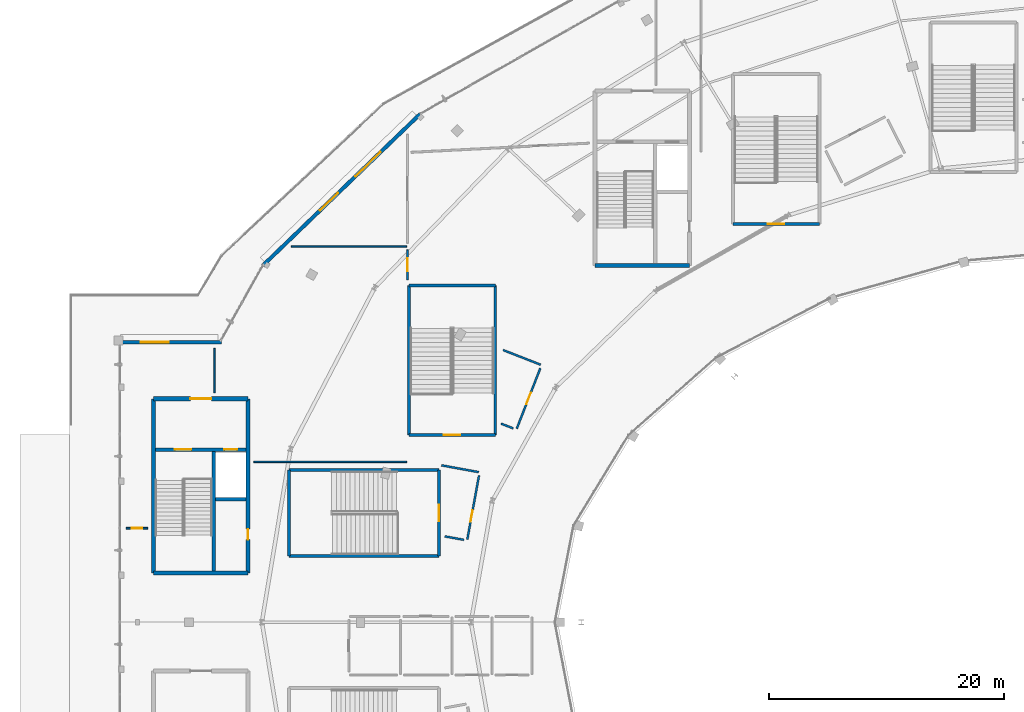
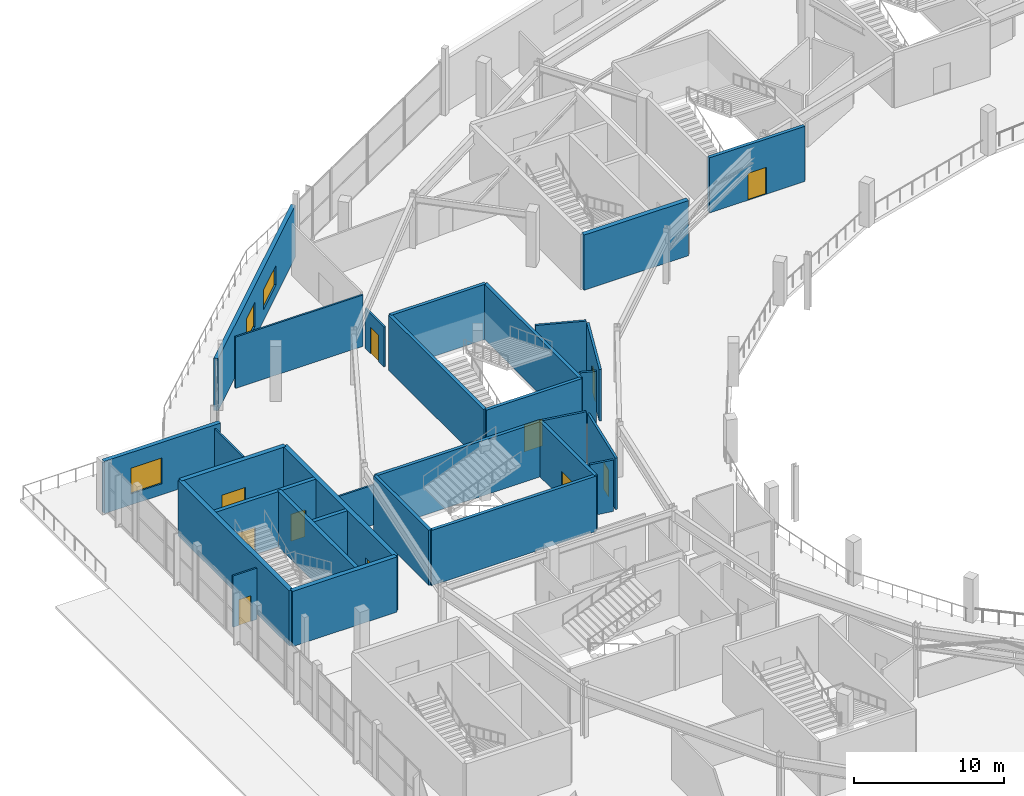
# One storey, part 88 of 123: 30 walls, 11 doors, 3 windows, 14 openings.
"""IFC4 building model written with IfcOpenShell, lengths in metres."""

from ifc_helpers import new_model, si_unit, direction, frame, frame_2d, origin, place, context, subcontext, project, spatial, rectangle, extrude, material, layer, layer_set, type_object, element, fill, save


model = new_model("IFC4")

# Units and contexts
model_context = context("Model", 3, precision=1e-05, world=origin(), true_north=direction((0.0, 1.0)))
body_context = subcontext(model_context, "Body", "Model", "MODEL_VIEW")
ifc_project = project(units=[si_unit("LENGTHUNIT", "METRE"), si_unit("AREAUNIT", "SQUARE_METRE"), si_unit("VOLUMEUNIT", "CUBIC_METRE"), si_unit("PLANEANGLEUNIT", "RADIAN"), si_unit("MASSUNIT", "GRAM", prefix="KILO")], contexts=[model_context])

# Site, building, storey
site_placement = place(None, origin())
site = spatial("IfcSite", under=ifc_project, at=site_placement, CompositionType="ELEMENT")
building_placement = place(site_placement, origin())
building = spatial("IfcBuilding", under=site, at=building_placement, Name="Kalgoora Escarpment Arena", CompositionType="ELEMENT")
storey_placement = place(building_placement, frame((0.0, 0.0, 9.89990234375)))
storey = spatial("IfcBuildingStorey", under=building, at=storey_placement, Name="L02", CompositionType="ELEMENT", Elevation=9.89990234375)

# Wall
ifc_material_1 = material(Name="Concrete N50 (fc' 50 MPa)", Category="concrete")
ifc_layer_1 = layer(ifc_material_1, 0.35009765625)
ifc_layer_set_1 = layer_set([ifc_layer_1], Name="WAL-CORE-350")
wall_type_1 = type_object("IfcWallType", Name="WAL-CORE-350", PredefinedType="SHEAR", material=ifc_layer_set_1)
wall_1_placement = place(storey_placement, frame((11.375, 68.175048828125, 0.0), z_axis=(0.0, 0.0, 1.0), x_axis=(1.0, 0.0, 0.0)))
element("IfcWall", 1, at=wall_1_placement, inside=storey, type_object=wall_type_1, Name="Core C1 L02 south shear wall", PredefinedType="SHEAR", context=body_context, shape_type="SweptSolid", body=[
    extrude(rectangle(XDim=8.050048828125, YDim=0.35009765625, at=frame_2d((4.02490234375, 0.0))), origin(), (0.0, 0.0, 1.0), 4.5),
])

# Wall, opening, door
wall_2_placement = place(storey_placement, frame((11.375, 83.02490234375, 0.0), z_axis=(0.0, 0.0, 1.0), x_axis=(1.0, 0.0, 0.0)))
wall_2 = element("IfcWall", 2, at=wall_2_placement, inside=storey, type_object=wall_type_1, Name="Core C1 L02 north lobby wall", PredefinedType="SHEAR", context=body_context, shape_type="SweptSolid", body=[
    extrude(rectangle(XDim=8.050048828125, YDim=0.35009765625, at=frame_2d((4.02490234375, 0.0))), origin(), (0.0, 0.0, 1.0), 4.5),
])
opening_1_placement = place(wall_2_placement, frame((3.125, 0.0, 0.0)))
opening_1 = element("IfcOpeningElement", 3, at=opening_1_placement, cuts=wall_2, Name="Opening FD-C1L", PredefinedType="OPENING", context=body_context, shape_type="SweptSolid", body=[
    extrude(rectangle(XDim=1.800048828125, YDim=2.25, at=frame_2d((0.89990234375, 1.125))), frame((0.0, 0.18505859375, 0.0), z_axis=(0.0, -1.0, 0.0), x_axis=(1.0, 0.0, 0.0)), (0.0, 0.0, 1.0), 0.3701171875),
])
ifc_material_2 = material(Name="Double fire-rated smoke-seal lobby door")
door_type_1 = type_object("IfcDoorType", Name="DR-LOBBY-1800", OperationType="NOTDEFINED", PredefinedType="DOOR", material=ifc_material_2)
door_1_placement = place(opening_1_placement, origin())
door_1 = element("IfcDoor", 4, at=door_1_placement, inside=storey, type_object=door_type_1, Name="Core C1 L02 smoke-lobby fire door", OperationType="DOUBLE_DOOR_SINGLE_SWING", OverallHeight=2.25, OverallWidth=1.800048828125, PredefinedType="DOOR", context=body_context, shape_type="SweptSolid", body=[
    extrude(rectangle(XDim=1.800048828125, YDim=2.25, at=frame_2d((0.89990234375, 1.125))), frame((0.0, 0.02490234375, 0.0), z_axis=(0.0, -1.0, 0.0), x_axis=(1.0, 0.0, 0.0)), (0.0, 0.0, 1.0), 0.050048828125),
])
fill(opening_1, door_1)

# Wall
wall_3_placement = place(storey_placement, frame((11.375, 68.175048828125, 0.0), z_axis=(0.0, 0.0, 1.0), x_axis=(0.0, 1.0, 0.0)))
element("IfcWall", 5, at=wall_3_placement, inside=storey, type_object=wall_type_1, Name="Core C1 L02 west shear wall", PredefinedType="SHEAR", context=body_context, shape_type="SweptSolid", body=[
    extrude(rectangle(XDim=14.849853515625, YDim=0.35009765625, at=frame_2d((7.4248046875, 0.0))), origin(), (0.0, 0.0, 1.0), 4.5),
])

# Wall, opening, door
wall_4_placement = place(storey_placement, frame((19.425048828125, 68.175048828125, 0.0), z_axis=(0.0, 0.0, 1.0), x_axis=(0.0, 1.0, 0.0)))
wall_4 = element("IfcWall", 6, at=wall_4_placement, inside=storey, type_object=wall_type_1, Name="Core C1 L02 east shear wall", PredefinedType="SHEAR", context=body_context, shape_type="SweptSolid", body=[
    extrude(rectangle(XDim=14.849853515625, YDim=0.35009765625, at=frame_2d((7.4248046875, 0.0))), origin(), (0.0, 0.0, 1.0), 4.5),
])
opening_2_placement = place(wall_4_placement, frame((2.85498046875, 0.0, 0.0)))
opening_2 = element("IfcOpeningElement", 7, at=opening_2_placement, cuts=wall_4, Name="Opening FD-C1R", PredefinedType="OPENING", context=body_context, shape_type="SweptSolid", body=[
    extrude(rectangle(XDim=0.89990234375, YDim=2.10009765625, at=frame_2d((0.449951171875, 1.050048828125))), frame((0.0, 0.18505859375, 0.0), z_axis=(0.0, -1.0, 0.0), x_axis=(1.0, 0.0, 0.0)), (0.0, 0.0, 1.0), 0.3701171875),
])
ifc_material_3 = material(Name="Fire-rated steel riser access door", Category="steel")
door_type_2 = type_object("IfcDoorType", Name="DR-RISER-0900", OperationType="NOTDEFINED", PredefinedType="DOOR", material=ifc_material_3)
door_2_placement = place(opening_2_placement, origin())
door_2 = element("IfcDoor", 8, at=door_2_placement, inside=storey, type_object=door_type_2, Name="Core C1 L02 riser cupboard access door", OperationType="SINGLE_SWING_RIGHT", OverallHeight=2.10009765625, OverallWidth=0.89990234375, PredefinedType="DOOR", context=body_context, shape_type="SweptSolid", body=[
    extrude(rectangle(XDim=0.89990234375, YDim=2.10009765625, at=frame_2d((0.449951171875, 1.050048828125))), frame((0.0, 0.02490234375, 0.0), z_axis=(0.0, -1.0, 0.0), x_axis=(1.0, 0.0, 0.0)), (0.0, 0.0, 1.0), 0.050048828125),
])
fill(opening_2, door_2)

# Wall
wall_5_placement = place(storey_placement, frame((48.97509765625, 94.375, 0.0), z_axis=(0.0, 0.0, 1.0), x_axis=(1.0, 0.0, 0.0)))
element("IfcWall", 9, at=wall_5_placement, inside=storey, type_object=wall_type_1, Name="Core C3 L02 south shear wall", PredefinedType="SHEAR", context=body_context, shape_type="SweptSolid", body=[
    extrude(rectangle(XDim=8.0498046875, YDim=0.35009765625, at=frame_2d((4.02490234375, 0.0))), origin(), (0.0, 0.0, 1.0), 4.5),
])

# Wall, opening, door
ifc_material_4 = material(Name="Hospitality acoustic drywall partition", Category="gypsum")
ifc_layer_2 = layer(ifc_material_4, 0.135009765625)
ifc_layer_set_2 = layer_set([ifc_layer_2], Name="WAL-DIN-135")
wall_type_2 = type_object("IfcWallType", Name="WAL-DIN-135", PredefinedType="PARTITIONING", material=ifc_layer_set_2)
wall_6_placement = place(storey_placement, frame((10.875, 72.0, 0.0), z_axis=(0.0, 0.0, 1.0), x_axis=(-1.0, 0.0, 0.0)))
wall_6 = element("IfcWall", 10, at=wall_6_placement, inside=storey, type_object=wall_type_2, Name="L02 Club Lounge partition wall", PredefinedType="PARTITIONING", context=body_context, shape_type="SweptSolid", body=[
    extrude(rectangle(XDim=1.827880859375, YDim=0.135009765625, at=frame_2d((0.9140625, 0.0))), origin(), (0.0, 0.0, 1.0), 4.190185546875),
])
opening_3_placement = place(wall_6_placement, frame((0.464111328125, 0.0, 0.0)))
opening_3 = element("IfcOpeningElement", 11, at=opening_3_placement, cuts=wall_6, Name="Opening FD-I093", PredefinedType="OPENING", context=body_context, shape_type="SweptSolid", body=[
    extrude(rectangle(XDim=0.89990234375, YDim=2.10009765625, at=frame_2d((0.449951171875, 1.050048828125))), frame((0.0, 0.077392578125, 0.0), z_axis=(0.0, -1.0, 0.0), x_axis=(1.0, 0.0, 0.0)), (0.0, 0.0, 1.0), 0.155029296875),
])
door_3_placement = place(opening_3_placement, origin())
door_3 = element("IfcDoor", 12, at=door_3_placement, inside=storey, type_object=door_type_2, Name="Club Lounge entrance door", OperationType="SINGLE_SWING_LEFT", OverallHeight=2.10009765625, OverallWidth=0.89990234375, PredefinedType="DOOR", context=body_context, shape_type="SweptSolid", body=[
    extrude(rectangle(XDim=0.89990234375, YDim=2.10009765625, at=frame_2d((0.449951171875, 1.050048828125))), frame((0.0, 0.02490234375, 0.0), z_axis=(0.0, -1.0, 0.0), x_axis=(1.0, 0.0, 0.0)), (0.0, 0.0, 1.0), 0.050048828125),
])
fill(opening_3, door_3)

# Walls
wall_7_placement = place(storey_placement, frame((16.550048828125, 87.3125, 0.0), z_axis=(0.0, 0.0, 1.0), x_axis=(0.0, -1.0, 0.0)))
element("IfcWall", 13, at=wall_7_placement, inside=storey, type_object=wall_type_2, Name="L02 Club Lounge partition wall", PredefinedType="PARTITIONING", context=body_context, shape_type="SweptSolid", body=[
    extrude(rectangle(XDim=3.78759765625, YDim=0.135009765625, at=frame_2d((1.893798828125, 0.0))), origin(), (0.0, 0.0, 1.0), 4.26513671875),
])
wall_8_placement = place(storey_placement, frame((19.925048828125, 77.64990234375, 0.0), z_axis=(0.0, 0.0, 1.0), x_axis=(1.0, 0.0, 0.0)))
element("IfcWall", 14, at=wall_8_placement, inside=storey, type_object=wall_type_2, Name="L02 Club Lounge 2 partition wall", PredefinedType="PARTITIONING", context=body_context, shape_type="SweptSolid", body=[
    extrude(rectangle(XDim=12.994873046875, YDim=0.135009765625, at=frame_2d((6.49755859375, 0.0))), origin(), (0.0, 0.0, 1.0), 3.255126953125),
])
wall_9_placement = place(storey_placement, frame((23.102294921875, 96.0, 0.0), z_axis=(0.0, 0.0, 1.0), x_axis=(1.0, 0.0, 0.0)))
element("IfcWall", 15, at=wall_9_placement, inside=storey, type_object=wall_type_2, Name="L02 Club Lounge 3 partition wall", PredefinedType="PARTITIONING", context=body_context, shape_type="SweptSolid", body=[
    extrude(rectangle(XDim=9.817626953125, YDim=0.135009765625, at=frame_2d((4.90869140625, 0.0))), origin(), (0.0, 0.0, 1.0), 4.190185546875),
])

# Wall, opening, door
wall_10_placement = place(storey_placement, frame((33.0, 95.715087890625, 0.0), z_axis=(0.0, 0.0, 1.0), x_axis=(0.0, -1.0, 0.0)))
wall_10 = element("IfcWall", 16, at=wall_10_placement, inside=storey, type_object=wall_type_2, Name="L02 Club Lounge 3 partition wall", PredefinedType="PARTITIONING", context=body_context, shape_type="SweptSolid", body=[
    extrude(rectangle(XDim=2.559326171875, YDim=0.135009765625, at=frame_2d((1.27978515625, 0.0))), origin(), (0.0, 0.0, 1.0), 3.255126953125),
])
opening_4_placement = place(wall_10_placement, frame((0.73974609375, 0.0, 0.0)))
opening_4 = element("IfcOpeningElement", 17, at=opening_4_placement, cuts=wall_10, Name="Opening FD-I094", PredefinedType="OPENING", context=body_context, shape_type="SweptSolid", body=[
    extrude(rectangle(XDim=1.080078125, YDim=2.14990234375, at=frame_2d((0.5400390625, 1.074951171875))), frame((0.0, 0.077392578125, 0.0), z_axis=(0.0, -1.0, 0.0), x_axis=(1.0, 0.0, 0.0)), (0.0, 0.0, 1.0), 0.155029296875),
])
ifc_material_5 = material(Name="Solid-core acoustic timber door", Category="wood")
door_type_3 = type_object("IfcDoorType", Name="DR-GEN-1080", OperationType="NOTDEFINED", PredefinedType="DOOR", material=ifc_material_5)
door_4_placement = place(opening_4_placement, origin())
door_4 = element("IfcDoor", 18, at=door_4_placement, inside=storey, type_object=door_type_3, Name="Club Lounge 3 entrance door", OperationType="SINGLE_SWING_RIGHT", OverallHeight=2.14990234375, OverallWidth=1.080078125, PredefinedType="DOOR", context=body_context, shape_type="SweptSolid", body=[
    extrude(rectangle(XDim=1.080078125, YDim=2.14990234375, at=frame_2d((0.5400390625, 1.074951171875))), frame((0.0, 0.02490234375, 0.0), z_axis=(0.0, -1.0, 0.0), x_axis=(1.0, 0.0, 0.0)), (0.0, 0.0, 1.0), 0.050048828125),
])
fill(opening_4, door_4)

# Wall, opening, window
ifc_material_6 = material(Name="Insulated limestone cladding precast wall 40 MPa", Category="masonry")
ifc_layer_3 = layer(ifc_material_6, 0.31494140625)
ifc_layer_set_3 = layer_set([ifc_layer_3], Name="WAL-EXT-315")
wall_type_3 = type_object("IfcWallType", Name="WAL-EXT-315", PredefinedType="SOLIDWALL", material=ifc_layer_set_3)
wall_11_placement = place(storey_placement, frame((8.21728515625, 87.842529296875, 0.0), z_axis=(0.0, 0.0, 1.0), x_axis=(1.0, 0.0, 0.0)))
wall_11 = element("IfcWall", 19, at=wall_11_placement, inside=storey, type_object=wall_type_3, Name="L02 limestone-faced external wall 045", PredefinedType="SOLIDWALL", context=body_context, shape_type="SweptSolid", body=[
    extrude(rectangle(XDim=8.959716796875, YDim=0.31494140625, at=frame_2d((4.47998046875, 0.0))), origin(), (0.0, 0.0, 1.0), 4.26513671875),
])
opening_5_placement = place(wall_11_placement, frame((2.050048828125, 0.0, 0.89990234375)))
opening_5 = element("IfcOpeningElement", 20, at=opening_5_placement, cuts=wall_11, Name="Opening W-06", PredefinedType="OPENING", context=body_context, shape_type="SweptSolid", body=[
    extrude(rectangle(XDim=2.39990234375, YDim=2.10009765625, at=frame_2d((1.199951171875, 1.050048828125))), frame((0.0, 0.16748046875, 0.0), z_axis=(0.0, -1.0, 0.0), x_axis=(1.0, 0.0, 0.0)), (0.0, 0.0, 1.0), 0.3349609375),
])
ifc_material_7 = material(Name="Low-E solar-control double glazing in champagne frame", Category="glass")
window_type_1 = type_object("IfcWindowType", Name="WIN-DECO-2400x2100", PartitioningType="SINGLE_PANEL", PredefinedType="WINDOW", material=ifc_material_7)
window_1_placement = place(opening_5_placement, origin())
window_1 = element("IfcWindow", 21, at=window_1_placement, inside=storey, type_object=window_type_1, Name="L02 scheduled facade window 046", OverallHeight=2.10009765625, OverallWidth=2.39990234375, PartitioningType="SINGLE_PANEL", PredefinedType="WINDOW", context=body_context, shape_type="SweptSolid", body=[
    extrude(rectangle(XDim=2.39990234375, YDim=2.10009765625, at=frame_2d((1.199951171875, 1.050048828125))), frame((0.0, 0.030029296875, 0.0), z_axis=(0.0, -1.0, 0.0), x_axis=(1.0, 0.0, 0.0)), (0.0, 0.0, 1.0), 0.06005859375),
])
fill(opening_5, window_1)

# Wall, openings, windows
wall_12_placement = place(storey_placement, frame((20.6708984375, 94.35986328125, 0.0), z_axis=(0.0, 0.0, 1.0), x_axis=(0.720214986834, 0.693750944316, 0.0)))
wall_12 = element("IfcWall", 22, at=wall_12_placement, inside=storey, type_object=wall_type_3, Name="L02 limestone-faced external wall 046", PredefinedType="SOLIDWALL", context=body_context, shape_type="SweptSolid", body=[
    extrude(rectangle(XDim=18.63525390625, YDim=0.31494140625, at=frame_2d((9.317626953125, 0.0))), origin(), (0.0, 0.0, 1.0), 4.26513671875),
])
opening_6_placement = place(wall_12_placement, frame((6.800048828125, 0.0, 0.89990234375)))
opening_6 = element("IfcOpeningElement", 23, at=opening_6_placement, cuts=wall_12, Name="Opening W-08", PredefinedType="OPENING", context=body_context, shape_type="SweptSolid", body=[
    extrude(rectangle(XDim=2.10009765625, YDim=2.0, at=frame_2d((1.050048828125, 1.0))), frame((0.0, 0.16748046875, 0.0), z_axis=(0.0, -1.0, 0.0), x_axis=(1.0, 0.0, 0.0)), (0.0, 0.0, 1.0), 0.3349609375),
])
opening_7_placement = place(wall_12_placement, frame((10.949951171875, 0.0, 0.89990234375)))
opening_7 = element("IfcOpeningElement", 24, at=opening_7_placement, cuts=wall_12, Name="Opening W-10", PredefinedType="OPENING", context=body_context, shape_type="SweptSolid", body=[
    extrude(rectangle(XDim=3.0, YDim=1.60009765625, at=frame_2d((1.5, 0.800048828125))), frame((0.0, 0.16748046875, 0.0), z_axis=(0.0, -1.0, 0.0), x_axis=(1.0, 0.0, 0.0)), (0.0, 0.0, 1.0), 0.3349609375),
])
ifc_material_8 = material(Name="Low-E solar-control double glazing in champagne frame", Category="glass")
window_type_2 = type_object("IfcWindowType", Name="WIN-BAND-3000x1600", PartitioningType="SINGLE_PANEL", PredefinedType="WINDOW", material=ifc_material_8)
window_2_placement = place(opening_7_placement, origin())
window_2 = element("IfcWindow", 25, at=window_2_placement, inside=storey, type_object=window_type_2, Name="L02 scheduled facade window 048", OverallHeight=1.60009765625, OverallWidth=3.0, PartitioningType="SINGLE_PANEL", PredefinedType="WINDOW", context=body_context, shape_type="SweptSolid", body=[
    extrude(rectangle(XDim=3.0, YDim=1.60009765625, at=frame_2d((1.5, 0.800048828125))), frame((0.0, 0.030029296875, 0.0), z_axis=(0.0, -1.0, 0.0), x_axis=(1.0, 0.0, 0.0)), (0.0, 0.0, 1.0), 0.06005859375),
])
fill(opening_7, window_2)
ifc_material_9 = material(Name="Low-E solar-control double glazing in champagne frame", Category="glass")
window_type_3 = type_object("IfcWindowType", Name="WIN-DECO-2100x2000", PartitioningType="SINGLE_PANEL", PredefinedType="WINDOW", material=ifc_material_9)
window_3_placement = place(opening_6_placement, origin())
window_3 = element("IfcWindow", 26, at=window_3_placement, inside=storey, type_object=window_type_3, Name="L02 scheduled facade window 047", OverallHeight=2.0, OverallWidth=2.10009765625, PartitioningType="SINGLE_PANEL", PredefinedType="WINDOW", context=body_context, shape_type="SweptSolid", body=[
    extrude(rectangle(XDim=2.10009765625, YDim=2.0, at=frame_2d((1.050048828125, 1.0))), frame((0.0, 0.030029296875, 0.0), z_axis=(0.0, -1.0, 0.0), x_axis=(1.0, 0.0, 0.0)), (0.0, 0.0, 1.0), 0.06005859375),
])
fill(opening_6, window_3)

# Wall, openings, doors
ifc_material_10 = material(Name="Concrete N50 (fc' 50 MPa)", Category="concrete")
ifc_layer_4 = layer(ifc_material_10, 0.300048828125)
ifc_layer_set_4 = layer_set([ifc_layer_4], Name="WAL-SHAFT-300")
wall_type_4 = type_object("IfcWallType", Name="WAL-SHAFT-300", PredefinedType="SHEAR", material=ifc_layer_set_4)
wall_13_placement = place(storey_placement, frame((11.550048828125, 78.699951171875, 0.0), z_axis=(0.0, 0.0, 1.0), x_axis=(1.0, 0.0, 0.0)))
wall_13 = element("IfcWall", 27, at=wall_13_placement, inside=storey, type_object=wall_type_4, Name="Core C1 L02 lobby shaft wall", PredefinedType="SHEAR", context=body_context, shape_type="SweptSolid", body=[
    extrude(rectangle(XDim=7.699951171875, YDim=0.300048828125, at=frame_2d((3.85009765625, 0.0))), origin(), (0.0, 0.0, 1.0), 4.5),
])
opening_8_placement = place(wall_13_placement, frame((1.64990234375, 0.0, 0.0)))
opening_8 = element("IfcOpeningElement", 28, at=opening_8_placement, cuts=wall_13, Name="Opening FD-ST01", PredefinedType="OPENING", context=body_context, shape_type="SweptSolid", body=[
    extrude(rectangle(XDim=1.39990234375, YDim=2.199951171875, at=frame_2d((0.699951171875, 1.10009765625))), frame((0.0, 0.159912109375, 0.0), z_axis=(0.0, -1.0, 0.0), x_axis=(1.0, 0.0, 0.0)), (0.0, 0.0, 1.0), 0.320068359375),
])
opening_9_placement = place(wall_13_placement, frame((5.85009765625, 0.0, 0.0)))
opening_9 = element("IfcOpeningElement", 29, at=opening_9_placement, cuts=wall_13, Name="Opening LD-EL1", PredefinedType="OPENING", context=body_context, shape_type="SweptSolid", body=[
    extrude(rectangle(XDim=1.10009765625, YDim=2.199951171875, at=frame_2d((0.550048828125, 1.10009765625))), frame((0.0, 0.159912109375, 0.0), z_axis=(0.0, -1.0, 0.0), x_axis=(1.0, 0.0, 0.0)), (0.0, 0.0, 1.0), 0.320068359375),
])
ifc_material_11 = material(Name="Brushed stainless steel sliding lift landing door", Category="steel")
door_type_4 = type_object("IfcDoorType", Name="DR-LD-EL1", OperationType="SLIDING_TO_LEFT", PredefinedType="DOOR", material=ifc_material_11)
door_5_placement = place(opening_9_placement, origin())
door_5 = element("IfcDoor", 30, at=door_5_placement, inside=storey, type_object=door_type_4, Name="Lift EL1 L02 sliding landing door", OperationType="SLIDING_TO_LEFT", OverallHeight=2.199951171875, OverallWidth=1.10009765625, PredefinedType="DOOR", context=body_context, shape_type="SweptSolid", body=[
    extrude(rectangle(XDim=1.10009765625, YDim=2.199951171875, at=frame_2d((0.550048828125, 1.10009765625))), frame((0.0, 0.02490234375, 0.0), z_axis=(0.0, -1.0, 0.0), x_axis=(1.0, 0.0, 0.0)), (0.0, 0.0, 1.0), 0.050048828125),
])
fill(opening_9, door_5)
ifc_material_12 = material(Name="Fire-rated steel stair leaf with vision panel", Category="steel")
door_type_5 = type_object("IfcDoorType", Name="DR-STAIR-1400", OperationType="NOTDEFINED", PredefinedType="DOOR", material=ifc_material_12)
door_6_placement = place(opening_8_placement, origin())
door_6 = element("IfcDoor", 31, at=door_6_placement, inside=storey, type_object=door_type_5, Name="Fire stair ST01 L02 fire door", OperationType="SINGLE_SWING_LEFT", OverallHeight=2.199951171875, OverallWidth=1.39990234375, PredefinedType="DOOR", context=body_context, shape_type="SweptSolid", body=[
    extrude(rectangle(XDim=1.39990234375, YDim=2.199951171875, at=frame_2d((0.699951171875, 1.10009765625))), frame((0.0, 0.02490234375, 0.0), z_axis=(0.0, -1.0, 0.0), x_axis=(1.0, 0.0, 0.0)), (0.0, 0.0, 1.0), 0.050048828125),
])
fill(opening_8, door_6)

# Walls
wall_14_placement = place(storey_placement, frame((16.5, 68.35009765625, 0.0), z_axis=(0.0, 0.0, 1.0), x_axis=(0.0, 1.0, 0.0)))
element("IfcWall", 32, at=wall_14_placement, inside=storey, type_object=wall_type_4, Name="Core C1 L02 stair-lift spine wall", PredefinedType="SHEAR", context=body_context, shape_type="SweptSolid", body=[
    extrude(rectangle(XDim=10.349853515625, YDim=0.300048828125, at=frame_2d((5.1748046875, 0.0))), origin(), (0.0, 0.0, 1.0), 4.5),
])
wall_15_placement = place(storey_placement, frame((16.64990234375, 74.449951171875, 0.0), z_axis=(0.0, 0.0, 1.0), x_axis=(1.0, 0.0, 0.0)))
element("IfcWall", 33, at=wall_15_placement, inside=storey, type_object=wall_type_4, Name="Core C1 L02 lift-riser divider wall", PredefinedType="SHEAR", context=body_context, shape_type="SweptSolid", body=[
    extrude(rectangle(XDim=2.60009765625, YDim=0.300048828125, at=frame_2d((1.300048828125, 0.0))), origin(), (0.0, 0.0, 1.0), 4.5),
])

# Wall, opening, door
ifc_material_13 = material(Name="Concrete N50 (fc' 50 MPa)", Category="concrete")
ifc_layer_5 = layer(ifc_material_13, 0.25)
ifc_layer_set_5 = layer_set([ifc_layer_5], Name="WAL-STAIR-250")
wall_type_5 = type_object("IfcWallType", Name="WAL-STAIR-250", PredefinedType="SHEAR", material=ifc_layer_set_5)
wall_16_placement = place(storey_placement, frame((60.72509765625, 97.925048828125, 0.0), z_axis=(0.0, 0.0, 1.0), x_axis=(1.0, 0.0, 0.0)))
wall_16 = element("IfcWall", 34, at=wall_16_placement, inside=storey, type_object=wall_type_5, Name="Exit stair ST09 L02 south wall", PredefinedType="SHEAR", context=body_context, shape_type="SweptSolid", body=[
    extrude(rectangle(XDim=7.349853515625, YDim=0.25, at=frame_2d((3.6748046875, 0.0))), origin(), (0.0, 0.0, 1.0), 4.5),
])
opening_10_placement = place(wall_16_placement, frame((2.97509765625, 0.0, 0.0)))
opening_10 = element("IfcOpeningElement", 35, at=opening_10_placement, cuts=wall_16, Name="Opening FD-ST09", PredefinedType="OPENING", context=body_context, shape_type="SweptSolid", body=[
    extrude(rectangle(XDim=1.39990234375, YDim=2.199951171875, at=frame_2d((0.699951171875, 1.10009765625))), frame((0.0, 0.135009765625, 0.0), z_axis=(0.0, -1.0, 0.0), x_axis=(1.0, 0.0, 0.0)), (0.0, 0.0, 1.0), 0.27001953125),
])
door_7_placement = place(opening_10_placement, origin())
door_7 = element("IfcDoor", 36, at=door_7_placement, inside=storey, type_object=door_type_5, Name="Fire-isolated stair ST09 L02 egress door", OperationType="SINGLE_SWING_LEFT", OverallHeight=2.199951171875, OverallWidth=1.39990234375, PredefinedType="DOOR", context=body_context, shape_type="SweptSolid", body=[
    extrude(rectangle(XDim=1.39990234375, YDim=2.199951171875, at=frame_2d((0.699951171875, 1.10009765625))), frame((0.0, 0.02490234375, 0.0), z_axis=(0.0, -1.0, 0.0), x_axis=(1.0, 0.0, 0.0)), (0.0, 0.0, 1.0), 0.050048828125),
])
fill(opening_10, door_7)

# Walls
for number, where, z_axis, x_axis, name in (
    (37, (22.925048828125, 69.625, 0.0), (0.0, 0.0, 1.0), (1.0, 0.0, 0.0), "Exit stair ST17 L02 south wall"),
    (38, (22.925048828125, 76.97509765625, 0.0), (0.0, 0.0, 1.0), (1.0, 0.0, 0.0), "Exit stair ST17 L02 north wall"),
):
    element("IfcWall", number, at=place(storey_placement, frame(where, z_axis=z_axis, x_axis=x_axis)), inside=storey, type_object=wall_type_5, Name=name, PredefinedType="SHEAR", context=body_context, shape_type="SweptSolid", body=[
        extrude(rectangle(XDim=12.75, YDim=0.25, at=frame_2d((6.375, 0.0))), origin(), (0.0, 0.0, 1.0), 4.5),
    ])
wall_17_placement = place(storey_placement, frame((22.925048828125, 69.625, 0.0), z_axis=(0.0, 0.0, 1.0), x_axis=(0.0, 1.0, 0.0)))
element("IfcWall", 39, at=wall_17_placement, inside=storey, type_object=wall_type_5, Name="Exit stair ST17 L02 west wall", PredefinedType="SHEAR", context=body_context, shape_type="SweptSolid", body=[
    extrude(rectangle(XDim=7.35009765625, YDim=0.25, at=frame_2d((3.675048828125, 0.0))), origin(), (0.0, 0.0, 1.0), 4.5),
])

# Wall, opening, door
wall_18_placement = place(storey_placement, frame((35.675048828125, 69.625, 0.0), z_axis=(0.0, 0.0, 1.0), x_axis=(0.0, 1.0, 0.0)))
wall_18 = element("IfcWall", 40, at=wall_18_placement, inside=storey, type_object=wall_type_5, Name="Exit stair ST17 L02 east wall", PredefinedType="SHEAR", context=body_context, shape_type="SweptSolid", body=[
    extrude(rectangle(XDim=7.35009765625, YDim=0.25, at=frame_2d((3.675048828125, 0.0))), origin(), (0.0, 0.0, 1.0), 4.5),
])
opening_11_placement = place(wall_18_placement, frame((2.97509765625, 0.0, 0.0)))
opening_11 = element("IfcOpeningElement", 41, at=opening_11_placement, cuts=wall_18, Name="Opening FD-ST17", PredefinedType="OPENING", context=body_context, shape_type="SweptSolid", body=[
    extrude(rectangle(XDim=1.39990234375, YDim=2.199951171875, at=frame_2d((0.699951171875, 1.10009765625))), frame((0.0, 0.135009765625, 0.0), z_axis=(0.0, -1.0, 0.0), x_axis=(1.0, 0.0, 0.0)), (0.0, 0.0, 1.0), 0.27001953125),
])
door_8_placement = place(opening_11_placement, origin())
door_8 = element("IfcDoor", 42, at=door_8_placement, inside=storey, type_object=door_type_5, Name="Fire-isolated stair ST17 L02 egress door", OperationType="SINGLE_SWING_RIGHT", OverallHeight=2.199951171875, OverallWidth=1.39990234375, PredefinedType="DOOR", context=body_context, shape_type="SweptSolid", body=[
    extrude(rectangle(XDim=1.39990234375, YDim=2.199951171875, at=frame_2d((0.699951171875, 1.10009765625))), frame((0.0, 0.02490234375, 0.0), z_axis=(0.0, -1.0, 0.0), x_axis=(1.0, 0.0, 0.0)), (0.0, 0.0, 1.0), 0.050048828125),
])
fill(opening_11, door_8)

wall_19_placement = place(storey_placement, frame((33.125, 79.925048828125, 0.0), z_axis=(0.0, 0.0, 1.0), x_axis=(1.0, 0.0, 0.0)))
wall_19 = element("IfcWall", 43, at=wall_19_placement, inside=storey, type_object=wall_type_5, Name="Exit stair ST19 L02 south wall", PredefinedType="SHEAR", context=body_context, shape_type="SweptSolid", body=[
    extrude(rectangle(XDim=7.35009765625, YDim=0.25, at=frame_2d((3.675048828125, 0.0))), origin(), (0.0, 0.0, 1.0), 4.5),
])
opening_12_placement = place(wall_19_placement, frame((2.97509765625, 0.0, 0.0)))
opening_12 = element("IfcOpeningElement", 44, at=opening_12_placement, cuts=wall_19, Name="Opening FD-ST19", PredefinedType="OPENING", context=body_context, shape_type="SweptSolid", body=[
    extrude(rectangle(XDim=1.39990234375, YDim=2.199951171875, at=frame_2d((0.699951171875, 1.10009765625))), frame((0.0, 0.135009765625, 0.0), z_axis=(0.0, -1.0, 0.0), x_axis=(1.0, 0.0, 0.0)), (0.0, 0.0, 1.0), 0.27001953125),
])
door_9_placement = place(opening_12_placement, origin())
door_9 = element("IfcDoor", 45, at=door_9_placement, inside=storey, type_object=door_type_5, Name="Fire-isolated stair ST19 L02 egress door", OperationType="SINGLE_SWING_RIGHT", OverallHeight=2.199951171875, OverallWidth=1.39990234375, PredefinedType="DOOR", context=body_context, shape_type="SweptSolid", body=[
    extrude(rectangle(XDim=1.39990234375, YDim=2.199951171875, at=frame_2d((0.699951171875, 1.10009765625))), frame((0.0, 0.02490234375, 0.0), z_axis=(0.0, -1.0, 0.0), x_axis=(1.0, 0.0, 0.0)), (0.0, 0.0, 1.0), 0.050048828125),
])
fill(opening_12, door_9)

# Walls
wall_20_placement = place(storey_placement, frame((33.125, 92.675048828125, 0.0), z_axis=(0.0, 0.0, 1.0), x_axis=(1.0, 0.0, 0.0)))
element("IfcWall", 46, at=wall_20_placement, inside=storey, type_object=wall_type_5, Name="Exit stair ST19 L02 north wall", PredefinedType="SHEAR", context=body_context, shape_type="SweptSolid", body=[
    extrude(rectangle(XDim=7.35009765625, YDim=0.25, at=frame_2d((3.675048828125, 0.0))), origin(), (0.0, 0.0, 1.0), 4.5),
])
for number, where, z_axis, x_axis, name in (
    (47, (33.125, 79.925048828125, 0.0), (0.0, 0.0, 1.0), (0.0, 1.0, 0.0), "Exit stair ST19 L02 west wall"),
    (48, (40.47509765625, 79.925048828125, 0.0), (0.0, 0.0, 1.0), (0.0, 1.0, 0.0), "Exit stair ST19 L02 east wall"),
):
    element("IfcWall", number, at=place(storey_placement, frame(where, z_axis=z_axis, x_axis=x_axis)), inside=storey, type_object=wall_type_5, Name=name, PredefinedType="SHEAR", context=body_context, shape_type="SweptSolid", body=[
        extrude(rectangle(XDim=12.75, YDim=0.25, at=frame_2d((6.375, 0.0))), origin(), (0.0, 0.0, 1.0), 4.5),
    ])
ifc_material_14 = material(Name="Twin-stud acoustic plasterboard FRL -/60/60", Category="gypsum")
ifc_layer_6 = layer(ifc_material_14, 0.175048828125)
ifc_layer_set_6 = layer_set([ifc_layer_6], Name="WAL-SUITE-175")
wall_type_6 = type_object("IfcWallType", Name="WAL-SUITE-175", PredefinedType="PARTITIONING", material=ifc_layer_set_6)
wall_21_placement = place(storey_placement, frame((41.13916015625, 87.174560546875, 0.0), z_axis=(0.0, 0.0, 1.0), x_axis=(0.931561790334, -0.363583045245, 0.0)))
element("IfcWall", 49, at=wall_21_placement, inside=storey, type_object=wall_type_6, Name="L02 Hospitality Suite HS08 partition wall", PredefinedType="PARTITIONING", context=body_context, shape_type="SweptSolid", body=[
    extrude(rectangle(XDim=3.43994140625, YDim=0.175048828125, at=frame_2d((1.719970703125, 0.0))), origin(), (0.0, 0.0, 1.0), 4.190185546875),
])

# Wall, opening, door
wall_22_placement = place(storey_placement, frame((44.314697265625, 85.62939453125, 0.0), z_axis=(0.0, 0.0, 1.0), x_axis=(-0.363567692335, -0.931567782338, 0.0)))
wall_22 = element("IfcWall", 50, at=wall_22_placement, inside=storey, type_object=wall_type_6, Name="L02 Hospitality Suite HS08 partition wall", PredefinedType="PARTITIONING", context=body_context, shape_type="SweptSolid", body=[
    extrude(rectangle(XDim=5.535400390625, YDim=0.175048828125, at=frame_2d((2.767578125, 0.0))), origin(), (0.0, 0.0, 1.0), 4.190185546875),
])
opening_13_placement = place(wall_22_placement, frame((2.24267578125, 0.0, 0.0)))
opening_13 = element("IfcOpeningElement", 51, at=opening_13_placement, cuts=wall_22, Name="Opening FD-I084", PredefinedType="OPENING", context=body_context, shape_type="SweptSolid", body=[
    extrude(rectangle(XDim=1.050048828125, YDim=2.25, at=frame_2d((0.52490234375, 1.125))), frame((0.0, 0.097412109375, 0.0), z_axis=(0.0, -1.0, 0.0), x_axis=(1.0, 0.0, 0.0)), (0.0, 0.0, 1.0), 0.195068359375),
])
ifc_material_15 = material(Name="Veneered timber acoustic suite entrance door", Category="wood")
door_type_6 = type_object("IfcDoorType", Name="DR-SUITE-1050", OperationType="NOTDEFINED", PredefinedType="DOOR", material=ifc_material_15)
door_10_placement = place(opening_13_placement, origin())
door_10 = element("IfcDoor", 52, at=door_10_placement, inside=storey, type_object=door_type_6, Name="Hospitality Suite HS08 entrance door", OperationType="SINGLE_SWING_RIGHT", OverallHeight=2.25, OverallWidth=1.050048828125, PredefinedType="DOOR", context=body_context, shape_type="SweptSolid", body=[
    extrude(rectangle(XDim=1.050048828125, YDim=2.25, at=frame_2d((0.52490234375, 1.125))), frame((0.0, 0.02490234375, 0.0), z_axis=(0.0, -1.0, 0.0), x_axis=(1.0, 0.0, 0.0)), (0.0, 0.0, 1.0), 0.050048828125),
])
fill(opening_13, door_10)

# Walls
wall_23_placement = place(storey_placement, frame((42.0078125, 80.501953125, 0.0), z_axis=(0.0, 0.0, 1.0), x_axis=(-0.931555906558, 0.363598120124, 0.0)))
element("IfcWall", 53, at=wall_23_placement, inside=storey, type_object=wall_type_6, Name="L02 Hospitality Suite HS08 partition wall", PredefinedType="PARTITIONING", context=body_context, shape_type="SweptSolid", body=[
    extrude(rectangle(XDim=1.114501953125, YDim=0.175048828125, at=frame_2d((0.55712890625, 0.0))), origin(), (0.0, 0.0, 1.0), 4.190185546875),
])
wall_24_placement = place(storey_placement, frame((35.88916015625, 77.357666015625, 0.0), z_axis=(0.0, 0.0, 1.0), x_axis=(0.983611030529, -0.180303468135, 0.0)))
element("IfcWall", 54, at=wall_24_placement, inside=storey, type_object=wall_type_6, Name="L02 Hospitality Suite HS09 partition wall", PredefinedType="PARTITIONING", context=body_context, shape_type="SweptSolid", body=[
    extrude(rectangle(XDim=3.226806640625, YDim=0.175048828125, at=frame_2d((1.61328125, 0.0))), origin(), (0.0, 0.0, 1.0), 4.190185546875),
])

# Wall, opening, door
wall_25_placement = place(storey_placement, frame((39.09033203125, 76.4814453125, 0.0), z_axis=(0.0, 0.0, 1.0), x_axis=(-0.180305821673, -0.983610599104, 0.0)))
wall_25 = element("IfcWall", 55, at=wall_25_placement, inside=storey, type_object=wall_type_6, Name="L02 Hospitality Suite HS09 partition wall", PredefinedType="PARTITIONING", context=body_context, shape_type="SweptSolid", body=[
    extrude(rectangle(XDim=5.535400390625, YDim=0.175048828125, at=frame_2d((2.767578125, 0.0))), origin(), (0.0, 0.0, 1.0), 4.190185546875),
])
opening_14_placement = place(wall_25_placement, frame((2.993408203125, 0.0, 0.0)))
opening_14 = element("IfcOpeningElement", 56, at=opening_14_placement, cuts=wall_25, Name="Opening FD-I085", PredefinedType="OPENING", context=body_context, shape_type="SweptSolid", body=[
    extrude(rectangle(XDim=1.0, YDim=2.199951171875, at=frame_2d((0.5, 1.10009765625))), frame((0.0, 0.097412109375, 0.0), z_axis=(0.0, -1.0, 0.0), x_axis=(1.0, 0.0, 0.0)), (0.0, 0.0, 1.0), 0.195068359375),
])
ifc_material_16 = material(Name="Veneered timber acoustic suite entrance door", Category="wood")
door_type_7 = type_object("IfcDoorType", Name="DR-SUITE-1000", OperationType="NOTDEFINED", PredefinedType="DOOR", material=ifc_material_16)
door_11_placement = place(opening_14_placement, origin())
door_11 = element("IfcDoor", 57, at=door_11_placement, inside=storey, type_object=door_type_7, Name="Hospitality Suite HS09 entrance door", OperationType="SINGLE_SWING_LEFT", OverallHeight=2.199951171875, OverallWidth=1.0, PredefinedType="DOOR", context=body_context, shape_type="SweptSolid", body=[
    extrude(rectangle(XDim=1.0, YDim=2.199951171875, at=frame_2d((0.5, 1.10009765625))), frame((0.0, 0.02490234375, 0.0), z_axis=(0.0, -1.0, 0.0), x_axis=(1.0, 0.0, 0.0)), (0.0, 0.0, 1.0), 0.050048828125),
])
fill(opening_14, door_11)

# Wall
wall_26_placement = place(storey_placement, frame((37.7978515625, 71.009521484375, 0.0), z_axis=(0.0, 0.0, 1.0), x_axis=(-0.983625345794, 0.180225356459, 0.0)))
element("IfcWall", 58, at=wall_26_placement, inside=storey, type_object=wall_type_6, Name="L02 Hospitality Suite HS09 partition wall", PredefinedType="PARTITIONING", context=body_context, shape_type="SweptSolid", body=[
    extrude(rectangle(XDim=1.6513671875, YDim=0.175048828125, at=frame_2d((0.82568359375, 0.0))), origin(), (0.0, 0.0, 1.0), 4.190185546875),
])

save(model, "model.ifc")
